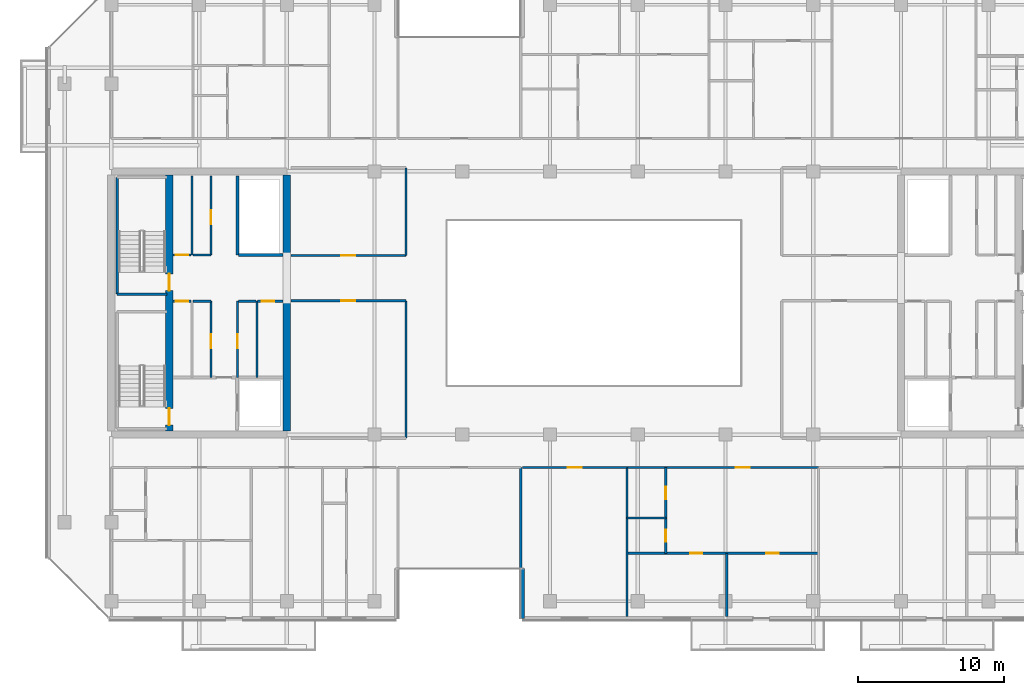
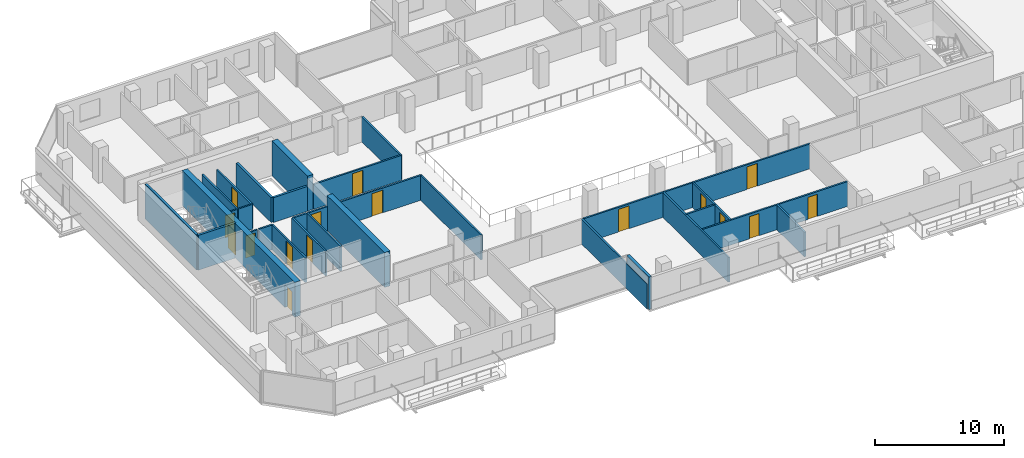
# One storey, part 20 of 29: 31 walls, 16 doors, 16 openings.
"""IFC4 building model written with IfcOpenShell, lengths in metres."""

from ifc_helpers import new_model, si_unit, direction, frame, frame_2d, origin, place, context, subcontext, project, spatial, rectangle, extrude, material, layer, layer_set, type_object, element, fill, save


model = new_model("IFC4")

# Units and contexts
model_context = context("Model", 3, precision=1e-05, world=origin(), true_north=direction((0.0, 1.0)))
body_context = subcontext(model_context, "Body", "Model", "MODEL_VIEW")
ifc_project = project(units=[si_unit("LENGTHUNIT", "METRE"), si_unit("AREAUNIT", "SQUARE_METRE"), si_unit("VOLUMEUNIT", "CUBIC_METRE"), si_unit("PLANEANGLEUNIT", "RADIAN"), si_unit("MASSUNIT", "GRAM", prefix="KILO")], contexts=[model_context])

# Site, building, storey
site_placement = place(None, origin())
site = spatial("IfcSite", under=ifc_project, at=site_placement, CompositionType="ELEMENT")
building_placement = place(site_placement, origin())
building = spatial("IfcBuilding", under=site, at=building_placement, Name="Tanjung Sevakor Pilgrim Tower", CompositionType="ELEMENT")
storey_placement = place(building_placement, frame((0.0, 0.0, 151.800048828125)))
storey = spatial("IfcBuildingStorey", under=building, at=storey_placement, Name="L42", CompositionType="ELEMENT", Elevation=151.800048828125)

# Walls
ifc_material_1 = material(Name="Concrete C60/75", Category="concrete")
ifc_layer_1 = layer(ifc_material_1, 0.5)
ifc_layer_set_1 = layer_set([ifc_layer_1], Name="WALL-CW-500")
wall_type_1 = type_object("IfcWallType", Name="WALL-CW-500", PredefinedType="SHEAR", material=ifc_layer_set_1)
wall_1_placement = place(storey_placement, frame((36.0, 24.85009765625, 0.0), z_axis=(0.0, 0.0, 1.0), x_axis=(0.0, 1.0, 0.0)))
element("IfcWall", 1, at=wall_1_placement, inside=storey, type_object=wall_type_1, Name="L42 W Core Inner Shear Wall South", PredefinedType="SHEAR", context=body_context, shape_type="SweptSolid", body=[
    extrude(rectangle(XDim=8.949951171875, YDim=0.5, at=frame_2d((4.47509765625, 0.0))), origin(), (0.0, 0.0, 1.0), 3.300048828125),
])
wall_2_placement = place(storey_placement, frame((36.0, 36.800048828125, 0.0), z_axis=(0.0, 0.0, 1.0), x_axis=(0.0, 1.0, 0.0)))
element("IfcWall", 2, at=wall_2_placement, inside=storey, type_object=wall_type_1, Name="L42 W Core Inner Shear Wall North", PredefinedType="SHEAR", context=body_context, shape_type="SweptSolid", body=[
    extrude(rectangle(XDim=5.550048828125, YDim=0.5, at=frame_2d((2.77490234375, 0.0))), origin(), (0.0, 0.0, 1.0), 3.300048828125),
])

# Wall, openings, doors
wall_3_placement = place(storey_placement, frame((27.949951171875, 24.85009765625, 0.0), z_axis=(0.0, 0.0, 1.0), x_axis=(0.0, 1.0, 0.0)))
wall_3 = element("IfcWall", 3, at=wall_3_placement, inside=storey, type_object=wall_type_1, Name="L42 W Core Stair Spine Wall", PredefinedType="SHEAR", context=body_context, shape_type="SweptSolid", body=[
    extrude(rectangle(XDim=17.5, YDim=0.5, at=frame_2d((8.75, 0.0))), origin(), (0.0, 0.0, 1.0), 3.300048828125),
])
opening_1_placement = place(wall_3_placement, frame((0.39990234375, 0.0, 0.0)))
opening_1 = element("IfcOpeningElement", 4, at=opening_1_placement, cuts=wall_3, Name="Opening ID-ST1", PredefinedType="OPENING", context=body_context, shape_type="SweptSolid", body=[
    extrude(rectangle(XDim=1.14990234375, YDim=2.14990234375, at=frame_2d((0.574951171875, 1.074951171875))), frame((0.0, 0.260009765625, 0.0), z_axis=(0.0, -1.0, 0.0), x_axis=(1.0, 0.0, 0.0)), (0.0, 0.0, 1.0), 0.52001953125),
])
opening_2_placement = place(wall_3_placement, frame((9.60009765625, 0.0, 0.0)))
opening_2 = element("IfcOpeningElement", 5, at=opening_2_placement, cuts=wall_3, Name="Opening ID-ST1", PredefinedType="OPENING", context=body_context, shape_type="SweptSolid", body=[
    extrude(rectangle(XDim=1.14990234375, YDim=2.14990234375, at=frame_2d((0.574951171875, 1.074951171875))), frame((0.0, 0.260009765625, 0.0), z_axis=(0.0, -1.0, 0.0), x_axis=(1.0, 0.0, 0.0)), (0.0, 0.0, 1.0), 0.52001953125),
])
ifc_material_2 = material(Name="Fire-Rated Steel S355J2", Category="steel")
door_type_1 = type_object("IfcDoorType", Name="DT-FIRE-1150", OperationType="NOTDEFINED", PredefinedType="DOOR", material=ifc_material_2)
door_1_placement = place(opening_1_placement, origin())
door_1 = element("IfcDoor", 6, at=door_1_placement, inside=storey, type_object=door_type_1, Name="L42 TS-W1 Stair Fire Door", OperationType="SINGLE_SWING_RIGHT", OverallHeight=2.14990234375, OverallWidth=1.14990234375, PredefinedType="DOOR", context=body_context, shape_type="SweptSolid", body=[
    extrude(rectangle(XDim=1.14990234375, YDim=2.14990234375, at=frame_2d((0.574951171875, 1.074951171875))), frame((0.0, 0.02490234375, 0.0), z_axis=(0.0, -1.0, 0.0), x_axis=(1.0, 0.0, 0.0)), (0.0, 0.0, 1.0), 0.050048828125),
])
fill(opening_1, door_1)
door_2_placement = place(opening_2_placement, origin())
door_2 = element("IfcDoor", 7, at=door_2_placement, inside=storey, type_object=door_type_1, Name="L42 TS-W2 Stair Fire Door", OperationType="SINGLE_SWING_LEFT", OverallHeight=2.14990234375, OverallWidth=1.14990234375, PredefinedType="DOOR", context=body_context, shape_type="SweptSolid", body=[
    extrude(rectangle(XDim=1.14990234375, YDim=2.14990234375, at=frame_2d((0.574951171875, 1.074951171875))), frame((0.0, 0.02490234375, 0.0), z_axis=(0.0, -1.0, 0.0), x_axis=(1.0, 0.0, 0.0)), (0.0, 0.0, 1.0), 0.050048828125),
])
fill(opening_2, door_2)

# Wall, opening, door
ifc_material_3 = material(Name="Concrete C40/50", Category="concrete")
ifc_layer_2 = layer(ifc_material_3, 0.14990234375)
ifc_layer_set_2 = layer_set([ifc_layer_2], Name="WT-COMP-150")
wall_type_2 = type_object("IfcWallType", Name="WT-COMP-150", PredefinedType="SOLIDWALL", material=ifc_layer_set_2)
wall_4_placement = place(storey_placement, frame((28.219970703125, 33.719970703125, 0.0), z_axis=(0.0, 0.0, 1.0), x_axis=(1.0, 0.0, 0.0)))
wall_4 = element("IfcWall", 8, at=wall_4_placement, inside=storey, type_object=wall_type_2, Name="L42 Partition IW-L42-004", PredefinedType="SOLIDWALL", context=body_context, shape_type="SweptSolid", body=[
    extrude(rectangle(XDim=1.22998046875, YDim=0.14990234375, at=frame_2d((0.614990234375, 0.0))), origin(), (0.0, 0.0, 1.0), 2.35009765625),
])
opening_3_placement = place(wall_4_placement, frame((0.179931640625, 0.0, 0.0)))
opening_3 = element("IfcOpeningElement", 9, at=opening_3_placement, cuts=wall_4, Name="Opening ID-FD3", PredefinedType="OPENING", context=body_context, shape_type="SweptSolid", body=[
    extrude(rectangle(XDim=0.85009765625, YDim=2.10009765625, at=frame_2d((0.425048828125, 1.050048828125))), frame((0.0, 0.0849609375, 0.0), z_axis=(0.0, -1.0, 0.0), x_axis=(1.0, 0.0, 0.0)), (0.0, 0.0, 1.0), 0.169921875),
])
ifc_material_4 = material(Name="Fire-Rated Timber", Category="wood")
door_type_2 = type_object("IfcDoorType", Name="DT-FIRE-850", OperationType="NOTDEFINED", PredefinedType="DOOR", material=ifc_material_4)
door_3_placement = place(opening_3_placement, origin())
door_3 = element("IfcDoor", 10, at=door_3_placement, inside=storey, type_object=door_type_2, Name="L42 Cleaner Store Door", OperationType="SINGLE_SWING_LEFT", OverallHeight=2.10009765625, OverallWidth=0.85009765625, PredefinedType="DOOR", context=body_context, shape_type="SweptSolid", body=[
    extrude(rectangle(XDim=0.85009765625, YDim=2.10009765625, at=frame_2d((0.425048828125, 1.050048828125))), frame((0.0, 0.02490234375, 0.0), z_axis=(0.0, -1.0, 0.0), x_axis=(1.0, 0.0, 0.0)), (0.0, 0.0, 1.0), 0.050048828125),
])
fill(opening_3, door_3)

# Wall
wall_5_placement = place(storey_placement, frame((29.580078125, 33.719970703125, 0.0), z_axis=(0.0, 0.0, 1.0), x_axis=(1.0, 0.0, 0.0)))
element("IfcWall", 11, at=wall_5_placement, inside=storey, type_object=wall_type_2, Name="L42 Partition IW-L42-005", PredefinedType="SOLIDWALL", context=body_context, shape_type="SweptSolid", body=[
    extrude(rectangle(XDim=1.219970703125, YDim=0.14990234375, at=frame_2d((0.60986328125, 0.0))), origin(), (0.0, 0.0, 1.0), 2.35009765625),
])

# Wall, opening, door
wall_6_placement = place(storey_placement, frame((30.820068359375, 28.5, 0.0), z_axis=(0.0, 0.0, 1.0), x_axis=(0.0, 1.0, 0.0)))
wall_6 = element("IfcWall", 12, at=wall_6_placement, inside=storey, type_object=wall_type_2, Name="L42 Partition IW-L42-006", PredefinedType="SOLIDWALL", context=body_context, shape_type="SweptSolid", body=[
    extrude(rectangle(XDim=5.219970703125, YDim=0.14990234375, at=frame_2d((2.60986328125, 0.0))), origin(), (0.0, 0.0, 1.0), 2.35009765625),
])
opening_4_placement = place(wall_6_placement, frame((2.0, 0.0, 0.0)))
opening_4 = element("IfcOpeningElement", 13, at=opening_4_placement, cuts=wall_6, Name="Opening ID-FD2", PredefinedType="OPENING", context=body_context, shape_type="SweptSolid", body=[
    extrude(rectangle(XDim=0.949951171875, YDim=2.14990234375, at=frame_2d((0.47509765625, 1.074951171875))), frame((0.0, 0.0849609375, 0.0), z_axis=(0.0, -1.0, 0.0), x_axis=(1.0, 0.0, 0.0)), (0.0, 0.0, 1.0), 0.169921875),
])
ifc_material_5 = material(Name="Fire-Rated Timber", Category="wood")
door_type_3 = type_object("IfcDoorType", Name="DT-FIRE-950", OperationType="NOTDEFINED", PredefinedType="DOOR", material=ifc_material_5)
door_4_placement = place(opening_4_placement, origin())
door_4 = element("IfcDoor", 14, at=door_4_placement, inside=storey, type_object=door_type_3, Name="L42 Housekeeping Pantry Door", OperationType="SINGLE_SWING_RIGHT", OverallHeight=2.14990234375, OverallWidth=0.949951171875, PredefinedType="DOOR", context=body_context, shape_type="SweptSolid", body=[
    extrude(rectangle(XDim=0.949951171875, YDim=2.14990234375, at=frame_2d((0.47509765625, 1.074951171875))), frame((0.0, 0.02490234375, 0.0), z_axis=(0.0, -1.0, 0.0), x_axis=(1.0, 0.0, 0.0)), (0.0, 0.0, 1.0), 0.050048828125),
])
fill(opening_4, door_4)

# Walls
wall_7_placement = place(storey_placement, frame((33.949951171875, 28.5, 0.0), z_axis=(0.0, 0.0, 1.0), x_axis=(0.0, 1.0, 0.0)))
element("IfcWall", 15, at=wall_7_placement, inside=storey, type_object=wall_type_2, Name="L42 Partition IW-L42-007", PredefinedType="SOLIDWALL", context=body_context, shape_type="SweptSolid", body=[
    extrude(rectangle(XDim=5.219970703125, YDim=0.14990234375, at=frame_2d((2.60986328125, 0.0))), origin(), (0.0, 0.0, 1.0), 2.35009765625),
])
wall_8_placement = place(storey_placement, frame((32.679931640625, 33.719970703125, 0.0), z_axis=(0.0, 0.0, 1.0), x_axis=(1.0, 0.0, 0.0)))
element("IfcWall", 16, at=wall_8_placement, inside=storey, type_object=wall_type_2, Name="L42 Partition IW-L42-008", PredefinedType="SOLIDWALL", context=body_context, shape_type="SweptSolid", body=[
    extrude(rectangle(XDim=1.2099609375, YDim=0.14990234375, at=frame_2d((0.60498046875, 0.0))), origin(), (0.0, 0.0, 1.0), 2.35009765625),
])

# Wall, opening, door
wall_9_placement = place(storey_placement, frame((34.010009765625, 33.719970703125, 0.0), z_axis=(0.0, 0.0, 1.0), x_axis=(1.0, 0.0, 0.0)))
wall_9 = element("IfcWall", 17, at=wall_9_placement, inside=storey, type_object=wall_type_2, Name="L42 Partition IW-L42-009", PredefinedType="SOLIDWALL", context=body_context, shape_type="SweptSolid", body=[
    extrude(rectangle(XDim=1.719970703125, YDim=0.14990234375, at=frame_2d((0.85986328125, 0.0))), origin(), (0.0, 0.0, 1.0), 2.35009765625),
])
opening_5_placement = place(wall_9_placement, frame((0.280029296875, 0.0, 0.0)))
opening_5 = element("IfcOpeningElement", 18, at=opening_5_placement, cuts=wall_9, Name="Opening ID-FD3", PredefinedType="OPENING", context=body_context, shape_type="SweptSolid", body=[
    extrude(rectangle(XDim=0.85009765625, YDim=2.10009765625, at=frame_2d((0.425048828125, 1.050048828125))), frame((0.0, 0.0849609375, 0.0), z_axis=(0.0, -1.0, 0.0), x_axis=(1.0, 0.0, 0.0)), (0.0, 0.0, 1.0), 0.169921875),
])
door_5_placement = place(opening_5_placement, origin())
door_5 = element("IfcDoor", 19, at=door_5_placement, inside=storey, type_object=door_type_2, Name="L42 Service Store Door", OperationType="SINGLE_SWING_LEFT", OverallHeight=2.10009765625, OverallWidth=0.85009765625, PredefinedType="DOOR", context=body_context, shape_type="SweptSolid", body=[
    extrude(rectangle(XDim=0.85009765625, YDim=2.10009765625, at=frame_2d((0.425048828125, 1.050048828125))), frame((0.0, 0.02490234375, 0.0), z_axis=(0.0, -1.0, 0.0), x_axis=(1.0, 0.0, 0.0)), (0.0, 0.0, 1.0), 0.050048828125),
])
fill(opening_5, door_5)

wall_10_placement = place(storey_placement, frame((32.6201171875, 28.5, 0.0), z_axis=(0.0, 0.0, 1.0), x_axis=(0.0, 1.0, 0.0)))
wall_10 = element("IfcWall", 20, at=wall_10_placement, inside=storey, type_object=wall_type_2, Name="L42 Partition IW-L42-010", PredefinedType="SOLIDWALL", context=body_context, shape_type="SweptSolid", body=[
    extrude(rectangle(XDim=5.219970703125, YDim=0.14990234375, at=frame_2d((2.60986328125, 0.0))), origin(), (0.0, 0.0, 1.0), 2.35009765625),
])
opening_6_placement = place(wall_10_placement, frame((2.0, 0.0, 0.0)))
opening_6 = element("IfcOpeningElement", 21, at=opening_6_placement, cuts=wall_10, Name="Opening ID-FD2", PredefinedType="OPENING", context=body_context, shape_type="SweptSolid", body=[
    extrude(rectangle(XDim=0.949951171875, YDim=2.14990234375, at=frame_2d((0.47509765625, 1.074951171875))), frame((0.0, 0.0849609375, 0.0), z_axis=(0.0, -1.0, 0.0), x_axis=(1.0, 0.0, 0.0)), (0.0, 0.0, 1.0), 0.169921875),
])
door_6_placement = place(opening_6_placement, origin())
door_6 = element("IfcDoor", 22, at=door_6_placement, inside=storey, type_object=door_type_3, Name="L42 Accessible WC Door", OperationType="SINGLE_SWING_RIGHT", OverallHeight=2.14990234375, OverallWidth=0.949951171875, PredefinedType="DOOR", context=body_context, shape_type="SweptSolid", body=[
    extrude(rectangle(XDim=0.949951171875, YDim=2.14990234375, at=frame_2d((0.47509765625, 1.074951171875))), frame((0.0, 0.02490234375, 0.0), z_axis=(0.0, -1.0, 0.0), x_axis=(1.0, 0.0, 0.0)), (0.0, 0.0, 1.0), 0.050048828125),
])
fill(opening_6, door_6)

# Wall
wall_11_placement = place(storey_placement, frame((29.52001953125, 36.8798828125, 0.0), z_axis=(0.0, 0.0, 1.0), x_axis=(0.0, 1.0, 0.0)))
element("IfcWall", 23, at=wall_11_placement, inside=storey, type_object=wall_type_2, Name="L42 Partition IW-L42-011", PredefinedType="SOLIDWALL", context=body_context, shape_type="SweptSolid", body=[
    extrude(rectangle(XDim=5.420166015625, YDim=0.14990234375, at=frame_2d((2.7099609375, 0.0))), origin(), (0.0, 0.0, 1.0), 2.35009765625),
])

# Wall, opening, door
wall_12_placement = place(storey_placement, frame((28.219970703125, 36.8798828125, 0.0), z_axis=(0.0, 0.0, 1.0), x_axis=(1.0, 0.0, 0.0)))
wall_12 = element("IfcWall", 24, at=wall_12_placement, inside=storey, type_object=wall_type_2, Name="L42 Partition IW-L42-012", PredefinedType="SOLIDWALL", context=body_context, shape_type="SweptSolid", body=[
    extrude(rectangle(XDim=1.22998046875, YDim=0.14990234375, at=frame_2d((0.614990234375, 0.0))), origin(), (0.0, 0.0, 1.0), 2.35009765625),
])
opening_7_placement = place(wall_12_placement, frame((0.179931640625, 0.0, 0.0)))
opening_7 = element("IfcOpeningElement", 25, at=opening_7_placement, cuts=wall_12, Name="Opening ID-FD3", PredefinedType="OPENING", context=body_context, shape_type="SweptSolid", body=[
    extrude(rectangle(XDim=0.85009765625, YDim=2.10009765625, at=frame_2d((0.425048828125, 1.050048828125))), frame((0.0, 0.0849609375, 0.0), z_axis=(0.0, -1.0, 0.0), x_axis=(1.0, 0.0, 0.0)), (0.0, 0.0, 1.0), 0.169921875),
])
door_7_placement = place(opening_7_placement, origin())
door_7 = element("IfcDoor", 26, at=door_7_placement, inside=storey, type_object=door_type_2, Name="L42 Service Store Door", OperationType="SINGLE_SWING_LEFT", OverallHeight=2.10009765625, OverallWidth=0.85009765625, PredefinedType="DOOR", context=body_context, shape_type="SweptSolid", body=[
    extrude(rectangle(XDim=0.85009765625, YDim=2.10009765625, at=frame_2d((0.425048828125, 1.050048828125))), frame((0.0, 0.02490234375, 0.0), z_axis=(0.0, -1.0, 0.0), x_axis=(1.0, 0.0, 0.0)), (0.0, 0.0, 1.0), 0.050048828125),
])
fill(opening_7, door_7)

# Wall
wall_13_placement = place(storey_placement, frame((29.580078125, 36.8798828125, 0.0), z_axis=(0.0, 0.0, 1.0), x_axis=(1.0, 0.0, 0.0)))
element("IfcWall", 27, at=wall_13_placement, inside=storey, type_object=wall_type_2, Name="L42 Partition IW-L42-013", PredefinedType="SOLIDWALL", context=body_context, shape_type="SweptSolid", body=[
    extrude(rectangle(XDim=1.219970703125, YDim=0.14990234375, at=frame_2d((0.60986328125, 0.0))), origin(), (0.0, 0.0, 1.0), 2.35009765625),
])

# Wall, opening, door
wall_14_placement = place(storey_placement, frame((30.820068359375, 36.8798828125, 0.0), z_axis=(0.0, 0.0, 1.0), x_axis=(0.0, 1.0, 0.0)))
wall_14 = element("IfcWall", 28, at=wall_14_placement, inside=storey, type_object=wall_type_2, Name="L42 Partition IW-L42-014", PredefinedType="SOLIDWALL", context=body_context, shape_type="SweptSolid", body=[
    extrude(rectangle(XDim=5.420166015625, YDim=0.14990234375, at=frame_2d((2.7099609375, 0.0))), origin(), (0.0, 0.0, 1.0), 2.35009765625),
])
opening_8_placement = place(wall_14_placement, frame((2.10009765625, 0.0, 0.0)))
opening_8 = element("IfcOpeningElement", 29, at=opening_8_placement, cuts=wall_14, Name="Opening ID-FD2", PredefinedType="OPENING", context=body_context, shape_type="SweptSolid", body=[
    extrude(rectangle(XDim=0.949951171875, YDim=2.14990234375, at=frame_2d((0.47509765625, 1.074951171875))), frame((0.0, 0.0849609375, 0.0), z_axis=(0.0, -1.0, 0.0), x_axis=(1.0, 0.0, 0.0)), (0.0, 0.0, 1.0), 0.169921875),
])
door_8_placement = place(opening_8_placement, origin())
door_8 = element("IfcDoor", 30, at=door_8_placement, inside=storey, type_object=door_type_3, Name="L42 Core Reading Room Door", OperationType="SINGLE_SWING_RIGHT", OverallHeight=2.14990234375, OverallWidth=0.949951171875, PredefinedType="DOOR", context=body_context, shape_type="SweptSolid", body=[
    extrude(rectangle(XDim=0.949951171875, YDim=2.14990234375, at=frame_2d((0.47509765625, 1.074951171875))), frame((0.0, 0.02490234375, 0.0), z_axis=(0.0, -1.0, 0.0), x_axis=(1.0, 0.0, 0.0)), (0.0, 0.0, 1.0), 0.050048828125),
])
fill(opening_8, door_8)

wall_15_placement = place(storey_placement, frame((36.27001953125, 33.75, 0.0), z_axis=(0.0, 0.0, 1.0), x_axis=(1.0, 0.0, 0.0)))
wall_15 = element("IfcWall", 31, at=wall_15_placement, inside=storey, type_object=wall_type_2, Name="L42 Partition IW-L42-034", PredefinedType="SOLIDWALL", context=body_context, shape_type="SweptSolid", body=[
    extrude(rectangle(XDim=7.8798828125, YDim=0.14990234375, at=frame_2d((3.93994140625, 0.0))), origin(), (0.0, 0.0, 1.0), 2.35009765625),
])
opening_9_placement = place(wall_15_placement, frame((3.465087890625, 0.0, 0.0)))
opening_9 = element("IfcOpeningElement", 32, at=opening_9_placement, cuts=wall_15, Name="Opening ID-RM1", PredefinedType="OPENING", context=body_context, shape_type="SweptSolid", body=[
    extrude(rectangle(XDim=0.949951171875, YDim=2.14990234375, at=frame_2d((0.47509765625, 1.074951171875))), frame((0.0, 0.0849609375, 0.0), z_axis=(0.0, -1.0, 0.0), x_axis=(1.0, 0.0, 0.0)), (0.0, 0.0, 1.0), 0.169921875),
])
ifc_material_6 = material(Name="Hardwood Timber", Category="wood")
door_type_4 = type_object("IfcDoorType", Name="DT-INT-950", OperationType="NOTDEFINED", PredefinedType="DOOR", material=ifc_material_6)
door_9_placement = place(opening_9_placement, origin())
door_9 = element("IfcDoor", 33, at=door_9_placement, inside=storey, type_object=door_type_4, Name="L42 West Inboard South Door", OperationType="SINGLE_SWING_LEFT", OverallHeight=2.14990234375, OverallWidth=0.949951171875, PredefinedType="DOOR", context=body_context, shape_type="SweptSolid", body=[
    extrude(rectangle(XDim=0.949951171875, YDim=2.14990234375, at=frame_2d((0.47509765625, 1.074951171875))), frame((0.0, 0.02490234375, 0.0), z_axis=(0.0, -1.0, 0.0), x_axis=(1.0, 0.0, 0.0)), (0.0, 0.0, 1.0), 0.050048828125),
])
fill(opening_9, door_9)

# Wall
wall_16_placement = place(storey_placement, frame((44.14990234375, 24.35009765625, 0.0), z_axis=(0.0, 0.0, 1.0), x_axis=(0.0, 1.0, 0.0)))
element("IfcWall", 34, at=wall_16_placement, inside=storey, type_object=wall_type_2, Name="L42 Partition IW-L42-035", PredefinedType="SOLIDWALL", context=body_context, shape_type="SweptSolid", body=[
    extrude(rectangle(XDim=9.39990234375, YDim=0.14990234375, at=frame_2d((4.699951171875, 0.0))), origin(), (0.0, 0.0, 1.0), 2.35009765625),
])

# Wall, opening, door
wall_17_placement = place(storey_placement, frame((36.27001953125, 36.85009765625, 0.0), z_axis=(0.0, 0.0, 1.0), x_axis=(1.0, 0.0, 0.0)))
wall_17 = element("IfcWall", 35, at=wall_17_placement, inside=storey, type_object=wall_type_2, Name="L42 Partition IW-L42-036", PredefinedType="SOLIDWALL", context=body_context, shape_type="SweptSolid", body=[
    extrude(rectangle(XDim=7.8798828125, YDim=0.14990234375, at=frame_2d((3.93994140625, 0.0))), origin(), (0.0, 0.0, 1.0), 2.35009765625),
])
opening_10_placement = place(wall_17_placement, frame((3.465087890625, 0.0, 0.0)))
opening_10 = element("IfcOpeningElement", 36, at=opening_10_placement, cuts=wall_17, Name="Opening ID-RM1", PredefinedType="OPENING", context=body_context, shape_type="SweptSolid", body=[
    extrude(rectangle(XDim=0.949951171875, YDim=2.14990234375, at=frame_2d((0.47509765625, 1.074951171875))), frame((0.0, 0.0849609375, 0.0), z_axis=(0.0, -1.0, 0.0), x_axis=(1.0, 0.0, 0.0)), (0.0, 0.0, 1.0), 0.169921875),
])
door_10_placement = place(opening_10_placement, origin())
door_10 = element("IfcDoor", 37, at=door_10_placement, inside=storey, type_object=door_type_4, Name="L42 West Inboard North Door", OperationType="SINGLE_SWING_RIGHT", OverallHeight=2.14990234375, OverallWidth=0.949951171875, PredefinedType="DOOR", context=body_context, shape_type="SweptSolid", body=[
    extrude(rectangle(XDim=0.949951171875, YDim=2.14990234375, at=frame_2d((0.47509765625, 1.074951171875))), frame((0.0, 0.02490234375, 0.0), z_axis=(0.0, -1.0, 0.0), x_axis=(1.0, 0.0, 0.0)), (0.0, 0.0, 1.0), 0.050048828125),
])
fill(opening_10, door_10)

# Walls
wall_18_placement = place(storey_placement, frame((44.14990234375, 36.85009765625, 0.0), z_axis=(0.0, 0.0, 1.0), x_axis=(0.0, 1.0, 0.0)))
element("IfcWall", 38, at=wall_18_placement, inside=storey, type_object=wall_type_2, Name="L42 Partition IW-L42-038", PredefinedType="SOLIDWALL", context=body_context, shape_type="SweptSolid", body=[
    extrude(rectangle(XDim=6.0, YDim=0.14990234375, at=frame_2d((3.0, 0.0))), origin(), (0.0, 0.0, 1.0), 2.35009765625),
])
for number, where, z_axis, x_axis, name in (
    (39, (52.0, 12.14990234375, 0.0), (0.0, 0.0, 1.0), (0.0, 1.0, 0.0), "L42 Partition IW-L42-047"),
    (40, (59.267333984375, 12.14990234375, 0.0), (0.0, 0.0, 1.0), (0.0, 1.0, 0.0), "L42 Partition IW-L42-064"),
):
    element("IfcWall", number, at=place(storey_placement, frame(where, z_axis=z_axis, x_axis=x_axis)), inside=storey, type_object=wall_type_2, Name=name, PredefinedType="SOLIDWALL", context=body_context, shape_type="SweptSolid", body=[
        extrude(rectangle(XDim=10.2001953125, YDim=0.14990234375, at=frame_2d((5.10009765625, 0.0))), origin(), (0.0, 0.0, 1.0), 2.35009765625),
    ])

# Wall, opening, door
wall_19_placement = place(storey_placement, frame((52.1201171875, 22.35009765625, 0.0), z_axis=(0.0, 0.0, 1.0), x_axis=(1.0, 0.0, 0.0)))
wall_19 = element("IfcWall", 41, at=wall_19_placement, inside=storey, type_object=wall_type_2, Name="L42 Partition IW-L42-065", PredefinedType="SOLIDWALL", context=body_context, shape_type="SweptSolid", body=[
    extrude(rectangle(XDim=7.147216796875, YDim=0.14990234375, at=frame_2d((3.57373046875, 0.0))), origin(), (0.0, 0.0, 1.0), 2.35009765625),
])
opening_11_placement = place(wall_19_placement, frame((3.0986328125, 0.0, 0.0)))
opening_11 = element("IfcOpeningElement", 42, at=opening_11_placement, cuts=wall_19, Name="Opening ID-FD2", PredefinedType="OPENING", context=body_context, shape_type="SweptSolid", body=[
    extrude(rectangle(XDim=0.949951171875, YDim=2.14990234375, at=frame_2d((0.47509765625, 1.074951171875))), frame((0.0, 0.0849609375, 0.0), z_axis=(0.0, -1.0, 0.0), x_axis=(1.0, 0.0, 0.0)), (0.0, 0.0, 1.0), 0.169921875),
])
door_11_placement = place(opening_11_placement, origin())
door_11 = element("IfcDoor", 43, at=door_11_placement, inside=storey, type_object=door_type_3, Name="Housekeeping Pantry Door", OperationType="SINGLE_SWING_RIGHT", OverallHeight=2.14990234375, OverallWidth=0.949951171875, PredefinedType="DOOR", context=body_context, shape_type="SweptSolid", body=[
    extrude(rectangle(XDim=0.949951171875, YDim=2.14990234375, at=frame_2d((0.47509765625, 1.074951171875))), frame((0.0, 0.02490234375, 0.0), z_axis=(0.0, -1.0, 0.0), x_axis=(1.0, 0.0, 0.0)), (0.0, 0.0, 1.0), 0.050048828125),
])
fill(opening_11, door_11)

wall_20_placement = place(storey_placement, frame((59.267333984375, 22.35009765625, 0.0), z_axis=(0.0, 0.0, 1.0), x_axis=(1.0, 0.0, 0.0)))
wall_20 = element("IfcWall", 44, at=wall_20_placement, inside=storey, type_object=wall_type_2, Name="L42 Partition IW-L42-071", PredefinedType="SOLIDWALL", context=body_context, shape_type="SweptSolid", body=[
    extrude(rectangle(XDim=13.103759765625, YDim=0.14990234375, at=frame_2d((6.5517578125, 0.0))), origin(), (0.0, 0.0, 1.0), 2.35009765625),
])
opening_12_placement = place(wall_20_placement, frame((7.443115234375, 0.0, 0.0)))
opening_12 = element("IfcOpeningElement", 45, at=opening_12_placement, cuts=wall_20, Name="Opening ID-FD2", PredefinedType="OPENING", context=body_context, shape_type="SweptSolid", body=[
    extrude(rectangle(XDim=0.949951171875, YDim=2.14990234375, at=frame_2d((0.47509765625, 1.074951171875))), frame((0.0, 0.0849609375, 0.0), z_axis=(0.0, -1.0, 0.0), x_axis=(1.0, 0.0, 0.0)), (0.0, 0.0, 1.0), 0.169921875),
])
door_12_placement = place(opening_12_placement, origin())
door_12 = element("IfcDoor", 46, at=door_12_placement, inside=storey, type_object=door_type_3, Name="Suite Entrance", OperationType="SINGLE_SWING_LEFT", OverallHeight=2.14990234375, OverallWidth=0.949951171875, PredefinedType="DOOR", context=body_context, shape_type="SweptSolid", body=[
    extrude(rectangle(XDim=0.949951171875, YDim=2.14990234375, at=frame_2d((0.47509765625, 1.074951171875))), frame((0.0, 0.02490234375, 0.0), z_axis=(0.0, -1.0, 0.0), x_axis=(1.0, 0.0, 0.0)), (0.0, 0.0, 1.0), 0.050048828125),
])
fill(opening_12, door_12)

# Walls
ifc_material_7 = material(Name="Precast concrete C45/55", Category="concrete")
ifc_layer_3 = layer(ifc_material_7, 0.25)
ifc_layer_set_3 = layer_set([ifc_layer_3], Name="WT-EW-STN3")
wall_type_3 = type_object("IfcWallType", Name="WT-EW-STN3", PredefinedType="SOLIDWALL", material=ifc_layer_set_3)
wall_21_placement = place(storey_placement, frame((52.125, 15.425048828125, 0.0), z_axis=(0.0, 0.0, 1.0), x_axis=(0.0, -1.0, 0.0)))
element("IfcWall", 47, at=wall_21_placement, inside=storey, type_object=wall_type_3, Name="L42 MAIN Exterior Wall 4", PredefinedType="SOLIDWALL", context=body_context, shape_type="SweptSolid", body=[
    extrude(rectangle(XDim=3.400146484375, YDim=0.25, at=frame_2d((1.7001953125, 0.0))), origin(), (0.0, 0.0, 1.0), 3.080078125),
])
ifc_material_8 = material(Name="Concrete C40/50", Category="concrete")
ifc_layer_4 = layer(ifc_material_8, 0.199951171875)
ifc_layer_set_4 = layer_set([ifc_layer_4], Name="WT-FIRE-200")
wall_type_4 = type_object("IfcWallType", Name="WT-FIRE-200", PredefinedType="SOLIDWALL", material=ifc_layer_set_4)
wall_22_placement = place(storey_placement, frame((24.39990234375, 34.199951171875, 0.0), z_axis=(0.0, 0.0, 1.0), x_axis=(1.0, 0.0, 0.0)))
element("IfcWall", 48, at=wall_22_placement, inside=storey, type_object=wall_type_4, Name="L42 TS-W2 Shaft Wall 1", PredefinedType="SOLIDWALL", context=body_context, shape_type="SweptSolid", body=[
    extrude(rectangle(XDim=3.400146484375, YDim=0.199951171875, at=frame_2d((1.7001953125, 0.0))), origin(), (0.0, 0.0, 1.0), 3.300048828125),
])
wall_23_placement = place(storey_placement, frame((24.39990234375, 42.199951171875, 0.0), z_axis=(0.0, 0.0, 1.0), x_axis=(0.0, -1.0, 0.0)))
element("IfcWall", 49, at=wall_23_placement, inside=storey, type_object=wall_type_4, Name="L42 TS-W2 Shaft Wall 3", PredefinedType="SOLIDWALL", context=body_context, shape_type="SweptSolid", body=[
    extrude(rectangle(XDim=8.0, YDim=0.199951171875, at=frame_2d((4.0, 0.0))), origin(), (0.0, 0.0, 1.0), 3.300048828125),
])
ifc_material_9 = material(Name="Concrete C40/50", Category="concrete")
ifc_layer_5 = layer(ifc_material_9, 0.199951171875)
ifc_layer_set_5 = layer_set([ifc_layer_5], Name="WT-FPRT-200")
wall_type_5 = type_object("IfcWallType", Name="WT-FPRT-200", PredefinedType="SOLIDWALL", material=ifc_layer_set_5)
wall_24_placement = place(storey_placement, frame((32.679931640625, 36.8798828125, 0.0), z_axis=(0.0, 0.0, 1.0), x_axis=(1.0, 0.0, 0.0)))
element("IfcWall", 50, at=wall_24_placement, inside=storey, type_object=wall_type_5, Name="L42 Partition IW-L42-015", PredefinedType="SOLIDWALL", context=body_context, shape_type="SweptSolid", body=[
    extrude(rectangle(XDim=3.050048828125, YDim=0.199951171875, at=frame_2d((1.52490234375, 0.0))), origin(), (0.0, 0.0, 1.0), 2.35009765625),
])
wall_25_placement = place(storey_placement, frame((32.6201171875, 36.8798828125, 0.0), z_axis=(0.0, 0.0, 1.0), x_axis=(0.0, 1.0, 0.0)))
element("IfcWall", 51, at=wall_25_placement, inside=storey, type_object=wall_type_5, Name="L42 Partition IW-L42-016", PredefinedType="SOLIDWALL", context=body_context, shape_type="SweptSolid", body=[
    extrude(rectangle(XDim=5.420166015625, YDim=0.199951171875, at=frame_2d((2.7099609375, 0.0))), origin(), (0.0, 0.0, 1.0), 2.35009765625),
])
ifc_material_10 = material(Name="Gypsum Board Partition", Category="gypsum board")
ifc_layer_6 = layer(ifc_material_10, 0.14990234375)
ifc_layer_set_6 = layer_set([ifc_layer_6], Name="WT-PART-150")
wall_type_6 = type_object("IfcWallType", Name="WT-PART-150", PredefinedType="PARTITIONING", material=ifc_layer_set_6)
wall_26_placement = place(storey_placement, frame((59.267333984375, 18.88623046875, 0.0), z_axis=(0.0, 0.0, 1.0), x_axis=(1.0, 0.0, 0.0)))
element("IfcWall", 52, at=wall_26_placement, inside=storey, type_object=wall_type_6, Name="L42 Partition IW-L42-067", PredefinedType="PARTITIONING", context=body_context, shape_type="SweptSolid", body=[
    extrude(rectangle(XDim=2.652587890625, YDim=0.14990234375, at=frame_2d((1.326171875, 0.0))), origin(), (0.0, 0.0, 1.0), 2.35009765625),
])

# Wall, openings, doors
wall_27_placement = place(storey_placement, frame((61.919921875, 16.4794921875, 0.0), z_axis=(0.0, 0.0, 1.0), x_axis=(0.0, 1.0, 0.0)))
wall_27 = element("IfcWall", 53, at=wall_27_placement, inside=storey, type_object=wall_type_6, Name="L42 Partition IW-L42-068", PredefinedType="PARTITIONING", context=body_context, shape_type="SweptSolid", body=[
    extrude(rectangle(XDim=5.87060546875, YDim=0.14990234375, at=frame_2d((2.935302734375, 0.0))), origin(), (0.0, 0.0, 1.0), 2.35009765625),
])
opening_13_placement = place(wall_27_placement, frame((0.778564453125, 0.0, 0.0)))
opening_13 = element("IfcOpeningElement", 54, at=opening_13_placement, cuts=wall_27, Name="Opening ID-WC1", PredefinedType="OPENING", context=body_context, shape_type="SweptSolid", body=[
    extrude(rectangle(XDim=0.85009765625, YDim=2.10009765625, at=frame_2d((0.425048828125, 1.050048828125))), frame((0.0, 0.0849609375, 0.0), z_axis=(0.0, -1.0, 0.0), x_axis=(1.0, 0.0, 0.0)), (0.0, 0.0, 1.0), 0.169921875),
])
opening_14_placement = place(wall_27_placement, frame((3.7138671875, 0.0, 0.0)))
opening_14 = element("IfcOpeningElement", 55, at=opening_14_placement, cuts=wall_27, Name="Opening ID-WC1", PredefinedType="OPENING", context=body_context, shape_type="SweptSolid", body=[
    extrude(rectangle(XDim=0.85009765625, YDim=2.10009765625, at=frame_2d((0.425048828125, 1.050048828125))), frame((0.0, 0.0849609375, 0.0), z_axis=(0.0, -1.0, 0.0), x_axis=(1.0, 0.0, 0.0)), (0.0, 0.0, 1.0), 0.169921875),
])
ifc_material_11 = material(Name="Moisture-Resistant Timber", Category="wood")
door_type_5 = type_object("IfcDoorType", Name="DT-INT-850", OperationType="NOTDEFINED", PredefinedType="DOOR", material=ifc_material_11)
door_13_placement = place(opening_13_placement, origin())
door_13 = element("IfcDoor", 56, at=door_13_placement, inside=storey, type_object=door_type_5, Name="Suite Bathroom Door", OperationType="SINGLE_SWING_LEFT", OverallHeight=2.10009765625, OverallWidth=0.85009765625, PredefinedType="DOOR", context=body_context, shape_type="SweptSolid", body=[
    extrude(rectangle(XDim=0.85009765625, YDim=2.10009765625, at=frame_2d((0.425048828125, 1.050048828125))), frame((0.0, 0.02490234375, 0.0), z_axis=(0.0, -1.0, 0.0), x_axis=(1.0, 0.0, 0.0)), (0.0, 0.0, 1.0), 0.050048828125),
])
fill(opening_13, door_13)
door_14_placement = place(opening_14_placement, origin())
door_14 = element("IfcDoor", 57, at=door_14_placement, inside=storey, type_object=door_type_5, Name="Suite Kitchenette Door", OperationType="SINGLE_SWING_RIGHT", OverallHeight=2.10009765625, OverallWidth=0.85009765625, PredefinedType="DOOR", context=body_context, shape_type="SweptSolid", body=[
    extrude(rectangle(XDim=0.85009765625, YDim=2.10009765625, at=frame_2d((0.425048828125, 1.050048828125))), frame((0.0, 0.02490234375, 0.0), z_axis=(0.0, -1.0, 0.0), x_axis=(1.0, 0.0, 0.0)), (0.0, 0.0, 1.0), 0.050048828125),
])
fill(opening_14, door_14)

# Wall
wall_28_placement = place(storey_placement, frame((66.081298828125, 12.14990234375, 0.0), z_axis=(0.0, 0.0, 1.0), x_axis=(0.0, 1.0, 0.0)))
element("IfcWall", 58, at=wall_28_placement, inside=storey, type_object=wall_type_6, Name="L42 Partition IW-L42-069", PredefinedType="PARTITIONING", context=body_context, shape_type="SweptSolid", body=[
    extrude(rectangle(XDim=4.32958984375, YDim=0.14990234375, at=frame_2d((2.164794921875, 0.0))), origin(), (0.0, 0.0, 1.0), 2.35009765625),
])

# Wall, openings, doors
wall_29_placement = place(storey_placement, frame((59.267333984375, 16.4794921875, 0.0), z_axis=(0.0, 0.0, 1.0), x_axis=(1.0, 0.0, 0.0)))
wall_29 = element("IfcWall", 59, at=wall_29_placement, inside=storey, type_object=wall_type_6, Name="L42 Partition IW-L42-070", PredefinedType="PARTITIONING", context=body_context, shape_type="SweptSolid", body=[
    extrude(rectangle(XDim=13.103759765625, YDim=0.14990234375, at=frame_2d((6.5517578125, 0.0))), origin(), (0.0, 0.0, 1.0), 2.35009765625),
])
opening_15_placement = place(wall_29_placement, frame((4.308349609375, 0.0, 0.0)))
opening_15 = element("IfcOpeningElement", 60, at=opening_15_placement, cuts=wall_29, Name="Opening ID-WC1", PredefinedType="OPENING", context=body_context, shape_type="SweptSolid", body=[
    extrude(rectangle(XDim=0.85009765625, YDim=2.10009765625, at=frame_2d((0.425048828125, 1.050048828125))), frame((0.0, 0.0849609375, 0.0), z_axis=(0.0, -1.0, 0.0), x_axis=(1.0, 0.0, 0.0)), (0.0, 0.0, 1.0), 0.169921875),
])
opening_16_placement = place(wall_29_placement, frame((9.53369140625, 0.0, 0.0)))
opening_16 = element("IfcOpeningElement", 61, at=opening_16_placement, cuts=wall_29, Name="Opening ID-WC1", PredefinedType="OPENING", context=body_context, shape_type="SweptSolid", body=[
    extrude(rectangle(XDim=0.85009765625, YDim=2.10009765625, at=frame_2d((0.425048828125, 1.050048828125))), frame((0.0, 0.0849609375, 0.0), z_axis=(0.0, -1.0, 0.0), x_axis=(1.0, 0.0, 0.0)), (0.0, 0.0, 1.0), 0.169921875),
])
door_15_placement = place(opening_15_placement, origin())
door_15 = element("IfcDoor", 62, at=door_15_placement, inside=storey, type_object=door_type_5, Name="Suite Bedroom 1 Door", OperationType="SINGLE_SWING_LEFT", OverallHeight=2.10009765625, OverallWidth=0.85009765625, PredefinedType="DOOR", context=body_context, shape_type="SweptSolid", body=[
    extrude(rectangle(XDim=0.85009765625, YDim=2.10009765625, at=frame_2d((0.425048828125, 1.050048828125))), frame((0.0, 0.02490234375, 0.0), z_axis=(0.0, -1.0, 0.0), x_axis=(1.0, 0.0, 0.0)), (0.0, 0.0, 1.0), 0.050048828125),
])
fill(opening_15, door_15)
door_16_placement = place(opening_16_placement, origin())
door_16 = element("IfcDoor", 63, at=door_16_placement, inside=storey, type_object=door_type_5, Name="Suite Bedroom 2 Door", OperationType="SINGLE_SWING_RIGHT", OverallHeight=2.10009765625, OverallWidth=0.85009765625, PredefinedType="DOOR", context=body_context, shape_type="SweptSolid", body=[
    extrude(rectangle(XDim=0.85009765625, YDim=2.10009765625, at=frame_2d((0.425048828125, 1.050048828125))), frame((0.0, 0.02490234375, 0.0), z_axis=(0.0, -1.0, 0.0), x_axis=(1.0, 0.0, 0.0)), (0.0, 0.0, 1.0), 0.050048828125),
])
fill(opening_16, door_16)

save(model, "model.ifc")
